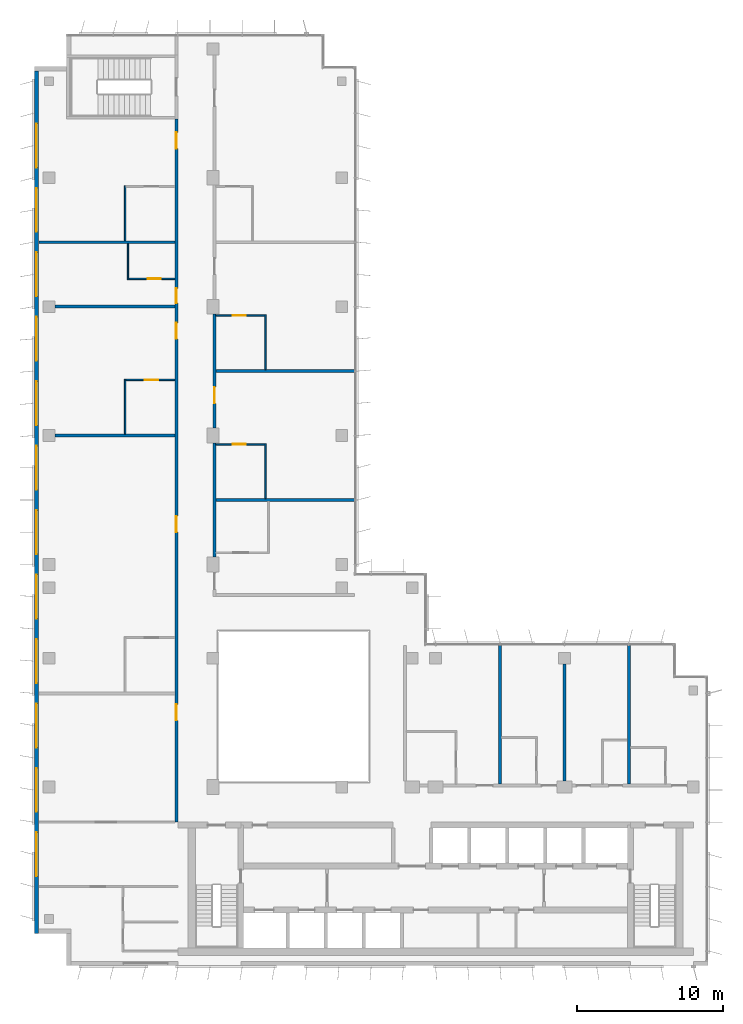
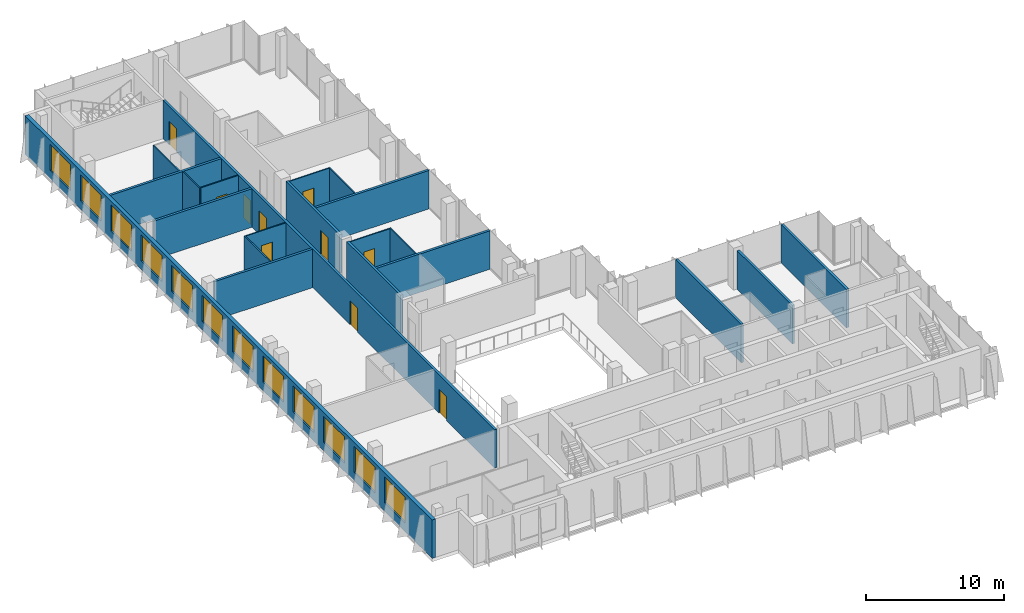
# One storey, part 11 of 15: 21 walls, 12 windows, 10 doors, 22 openings.
"""IFC4 building model written with IfcOpenShell, lengths in metres."""

from ifc_helpers import new_model, si_unit, direction, frame, frame_2d, origin, place, context, subcontext, project, spatial, rectangle, extrude, material, layer, layer_set, type_object, element, fill, save


model = new_model("IFC4")

# Units and contexts
model_context = context("Model", 3, precision=1e-05, world=origin(), true_north=direction((0.0, 1.0)))
body_context = subcontext(model_context, "Body", "Model", "MODEL_VIEW")
ifc_project = project(units=[si_unit("LENGTHUNIT", "METRE"), si_unit("AREAUNIT", "SQUARE_METRE"), si_unit("VOLUMEUNIT", "CUBIC_METRE"), si_unit("PLANEANGLEUNIT", "RADIAN"), si_unit("MASSUNIT", "GRAM", prefix="KILO")], contexts=[model_context])

# Site, building, storey
site_placement = place(None, origin())
site = spatial("IfcSite", under=ifc_project, at=site_placement, CompositionType="ELEMENT")
building_placement = place(site_placement, origin())
building = spatial("IfcBuilding", under=site, at=building_placement, Name="Kemantara Hotel Tower", CompositionType="ELEMENT")
storey_placement = place(building_placement, frame((0.0, 0.0, 294.39990234375)))
storey = spatial("IfcBuildingStorey", under=building, at=storey_placement, Name="L74", CompositionType="ELEMENT", Elevation=294.39990234375)

# Wall, openings, windows
ifc_material_1 = material(Name="Bronze anodised aluminium cladding on insulated steel stud wall", Category="steel")
ifc_layer_1 = layer(ifc_material_1, 0.300048828125)
ifc_layer_set_1 = layer_set([ifc_layer_1], Name="Bronze anodised aluminium cladding on insulated steel stud wall")
wall_type_1 = type_object("IfcWallType", Name="BRONZE METAL-CLAD EXTERNAL WALL 300", PredefinedType="STANDARD", material=ifc_layer_set_1)
wall_1_placement = place(storey_placement, frame((0.14990234375, 61.10009765625, 0.0), z_axis=(0.0, 0.0, 1.0), x_axis=(0.0, -1.0, 0.0)))
wall_1 = element("IfcWall", 1, at=wall_1_placement, inside=storey, type_object=wall_type_1, Name="EXTERNAL WALL L74 T4-R05", PredefinedType="STANDARD", context=body_context, shape_type="SweptSolid", body=[
    extrude(rectangle(XDim=58.900146484375, YDim=0.300048828125, at=frame_2d((29.4501953125, 0.0))), origin(), (0.0, 0.0, 1.0), 3.400146484375),
])
opening_1_placement = place(wall_1_placement, frame((3.60009765625, 0.0, 0.75)))
opening_1 = element("IfcOpeningElement", 2, at=opening_1_placement, cuts=wall_1, Name="Opening W1", PredefinedType="OPENING", context=body_context, shape_type="SweptSolid", body=[
    extrude(rectangle(XDim=3.0, YDim=2.300048828125, at=frame_2d((1.5, 1.14990234375))), frame((0.0, 0.159912109375, 0.0), z_axis=(0.0, -1.0, 0.0), x_axis=(1.0, 0.0, 0.0)), (0.0, 0.0, 1.0), 0.320068359375),
])
opening_2_placement = place(wall_1_placement, frame((8.0, 0.0, 0.75)))
opening_2 = element("IfcOpeningElement", 3, at=opening_2_placement, cuts=wall_1, Name="Opening W1", PredefinedType="OPENING", context=body_context, shape_type="SweptSolid", body=[
    extrude(rectangle(XDim=3.0, YDim=2.300048828125, at=frame_2d((1.5, 1.14990234375))), frame((0.0, 0.159912109375, 0.0), z_axis=(0.0, -1.0, 0.0), x_axis=(1.0, 0.0, 0.0)), (0.0, 0.0, 1.0), 0.320068359375),
])
opening_3_placement = place(wall_1_placement, frame((12.39990234375, 0.0, 0.75)))
opening_3 = element("IfcOpeningElement", 4, at=opening_3_placement, cuts=wall_1, Name="Opening W1", PredefinedType="OPENING", context=body_context, shape_type="SweptSolid", body=[
    extrude(rectangle(XDim=3.0, YDim=2.300048828125, at=frame_2d((1.5, 1.14990234375))), frame((0.0, 0.159912109375, 0.0), z_axis=(0.0, -1.0, 0.0), x_axis=(1.0, 0.0, 0.0)), (0.0, 0.0, 1.0), 0.320068359375),
])
opening_4_placement = place(wall_1_placement, frame((16.800048828125, 0.0, 0.75)))
opening_4 = element("IfcOpeningElement", 5, at=opening_4_placement, cuts=wall_1, Name="Opening W1", PredefinedType="OPENING", context=body_context, shape_type="SweptSolid", body=[
    extrude(rectangle(XDim=3.0, YDim=2.300048828125, at=frame_2d((1.5, 1.14990234375))), frame((0.0, 0.159912109375, 0.0), z_axis=(0.0, -1.0, 0.0), x_axis=(1.0, 0.0, 0.0)), (0.0, 0.0, 1.0), 0.320068359375),
])
opening_5_placement = place(wall_1_placement, frame((21.199951171875, 0.0, 0.75)))
opening_5 = element("IfcOpeningElement", 6, at=opening_5_placement, cuts=wall_1, Name="Opening W1", PredefinedType="OPENING", context=body_context, shape_type="SweptSolid", body=[
    extrude(rectangle(XDim=3.0, YDim=2.300048828125, at=frame_2d((1.5, 1.14990234375))), frame((0.0, 0.159912109375, 0.0), z_axis=(0.0, -1.0, 0.0), x_axis=(1.0, 0.0, 0.0)), (0.0, 0.0, 1.0), 0.320068359375),
])
opening_6_placement = place(wall_1_placement, frame((25.60009765625, 0.0, 0.75)))
opening_6 = element("IfcOpeningElement", 7, at=opening_6_placement, cuts=wall_1, Name="Opening W1", PredefinedType="OPENING", context=body_context, shape_type="SweptSolid", body=[
    extrude(rectangle(XDim=3.0, YDim=2.300048828125, at=frame_2d((1.5, 1.14990234375))), frame((0.0, 0.159912109375, 0.0), z_axis=(0.0, -1.0, 0.0), x_axis=(1.0, 0.0, 0.0)), (0.0, 0.0, 1.0), 0.320068359375),
])
opening_7_placement = place(wall_1_placement, frame((30.0, 0.0, 0.75)))
opening_7 = element("IfcOpeningElement", 8, at=opening_7_placement, cuts=wall_1, Name="Opening W1", PredefinedType="OPENING", context=body_context, shape_type="SweptSolid", body=[
    extrude(rectangle(XDim=3.0, YDim=2.300048828125, at=frame_2d((1.5, 1.14990234375))), frame((0.0, 0.159912109375, 0.0), z_axis=(0.0, -1.0, 0.0), x_axis=(1.0, 0.0, 0.0)), (0.0, 0.0, 1.0), 0.320068359375),
])
opening_8_placement = place(wall_1_placement, frame((34.39990234375, 0.0, 0.75)))
opening_8 = element("IfcOpeningElement", 9, at=opening_8_placement, cuts=wall_1, Name="Opening W1", PredefinedType="OPENING", context=body_context, shape_type="SweptSolid", body=[
    extrude(rectangle(XDim=3.0, YDim=2.300048828125, at=frame_2d((1.5, 1.14990234375))), frame((0.0, 0.159912109375, 0.0), z_axis=(0.0, -1.0, 0.0), x_axis=(1.0, 0.0, 0.0)), (0.0, 0.0, 1.0), 0.320068359375),
])
opening_9_placement = place(wall_1_placement, frame((38.800048828125, 0.0, 0.75)))
opening_9 = element("IfcOpeningElement", 10, at=opening_9_placement, cuts=wall_1, Name="Opening W1", PredefinedType="OPENING", context=body_context, shape_type="SweptSolid", body=[
    extrude(rectangle(XDim=3.0, YDim=2.300048828125, at=frame_2d((1.5, 1.14990234375))), frame((0.0, 0.159912109375, 0.0), z_axis=(0.0, -1.0, 0.0), x_axis=(1.0, 0.0, 0.0)), (0.0, 0.0, 1.0), 0.320068359375),
])
opening_10_placement = place(wall_1_placement, frame((43.199951171875, 0.0, 0.75)))
opening_10 = element("IfcOpeningElement", 11, at=opening_10_placement, cuts=wall_1, Name="Opening W1", PredefinedType="OPENING", context=body_context, shape_type="SweptSolid", body=[
    extrude(rectangle(XDim=3.0, YDim=2.300048828125, at=frame_2d((1.5, 1.14990234375))), frame((0.0, 0.159912109375, 0.0), z_axis=(0.0, -1.0, 0.0), x_axis=(1.0, 0.0, 0.0)), (0.0, 0.0, 1.0), 0.320068359375),
])
opening_11_placement = place(wall_1_placement, frame((47.60009765625, 0.0, 0.75)))
opening_11 = element("IfcOpeningElement", 12, at=opening_11_placement, cuts=wall_1, Name="Opening W1", PredefinedType="OPENING", context=body_context, shape_type="SweptSolid", body=[
    extrude(rectangle(XDim=3.0, YDim=2.300048828125, at=frame_2d((1.5, 1.14990234375))), frame((0.0, 0.159912109375, 0.0), z_axis=(0.0, -1.0, 0.0), x_axis=(1.0, 0.0, 0.0)), (0.0, 0.0, 1.0), 0.320068359375),
])
opening_12_placement = place(wall_1_placement, frame((52.0, 0.0, 0.75)))
opening_12 = element("IfcOpeningElement", 13, at=opening_12_placement, cuts=wall_1, Name="Opening W1", PredefinedType="OPENING", context=body_context, shape_type="SweptSolid", body=[
    extrude(rectangle(XDim=3.0, YDim=2.300048828125, at=frame_2d((1.5, 1.14990234375))), frame((0.0, 0.159912109375, 0.0), z_axis=(0.0, -1.0, 0.0), x_axis=(1.0, 0.0, 0.0)), (0.0, 0.0, 1.0), 0.320068359375),
])
ifc_material_2 = material(Name="Low-E tinted double insulated glass in bronze anodised aluminium frame", Category="aluminium")
window_type = type_object("IfcWindowType", Name="CHICAGO WINDOW, TRIPLE PANEL 3000x2300", PartitioningType="TRIPLE_PANEL_VERTICAL", PredefinedType="WINDOW", material=ifc_material_2)
window_1_placement = place(opening_1_placement, origin())
window_1 = element("IfcWindow", 14, at=window_1_placement, inside=storey, type_object=window_type, Name="CHICAGO WINDOW L74 T4-R05-54", OverallHeight=2.300048828125, OverallWidth=3.0, PartitioningType="SINGLE_PANEL", PredefinedType="WINDOW", context=body_context, shape_type="SweptSolid", body=[
    extrude(rectangle(XDim=3.0, YDim=2.300048828125, at=frame_2d((1.5, 1.14990234375))), frame((0.0, 0.030029296875, 0.0), z_axis=(0.0, -1.0, 0.0), x_axis=(1.0, 0.0, 0.0)), (0.0, 0.0, 1.0), 0.06005859375),
])
fill(opening_1, window_1)
window_2_placement = place(opening_2_placement, origin())
window_2 = element("IfcWindow", 15, at=window_2_placement, inside=storey, type_object=window_type, Name="CHICAGO WINDOW L74 T4-R05-98", OverallHeight=2.300048828125, OverallWidth=3.0, PartitioningType="SINGLE_PANEL", PredefinedType="WINDOW", context=body_context, shape_type="SweptSolid", body=[
    extrude(rectangle(XDim=3.0, YDim=2.300048828125, at=frame_2d((1.5, 1.14990234375))), frame((0.0, 0.030029296875, 0.0), z_axis=(0.0, -1.0, 0.0), x_axis=(1.0, 0.0, 0.0)), (0.0, 0.0, 1.0), 0.06005859375),
])
fill(opening_2, window_2)
window_3_placement = place(opening_3_placement, origin())
window_3 = element("IfcWindow", 16, at=window_3_placement, inside=storey, type_object=window_type, Name="CHICAGO WINDOW L74 T4-R05-142", OverallHeight=2.300048828125, OverallWidth=3.0, PartitioningType="SINGLE_PANEL", PredefinedType="WINDOW", context=body_context, shape_type="SweptSolid", body=[
    extrude(rectangle(XDim=3.0, YDim=2.300048828125, at=frame_2d((1.5, 1.14990234375))), frame((0.0, 0.030029296875, 0.0), z_axis=(0.0, -1.0, 0.0), x_axis=(1.0, 0.0, 0.0)), (0.0, 0.0, 1.0), 0.06005859375),
])
fill(opening_3, window_3)
window_4_placement = place(opening_4_placement, origin())
window_4 = element("IfcWindow", 17, at=window_4_placement, inside=storey, type_object=window_type, Name="CHICAGO WINDOW L74 T4-R05-186", OverallHeight=2.300048828125, OverallWidth=3.0, PartitioningType="SINGLE_PANEL", PredefinedType="WINDOW", context=body_context, shape_type="SweptSolid", body=[
    extrude(rectangle(XDim=3.0, YDim=2.300048828125, at=frame_2d((1.5, 1.14990234375))), frame((0.0, 0.030029296875, 0.0), z_axis=(0.0, -1.0, 0.0), x_axis=(1.0, 0.0, 0.0)), (0.0, 0.0, 1.0), 0.06005859375),
])
fill(opening_4, window_4)
window_5_placement = place(opening_5_placement, origin())
window_5 = element("IfcWindow", 18, at=window_5_placement, inside=storey, type_object=window_type, Name="CHICAGO WINDOW L74 T4-R05-230", OverallHeight=2.300048828125, OverallWidth=3.0, PartitioningType="SINGLE_PANEL", PredefinedType="WINDOW", context=body_context, shape_type="SweptSolid", body=[
    extrude(rectangle(XDim=3.0, YDim=2.300048828125, at=frame_2d((1.5, 1.14990234375))), frame((0.0, 0.030029296875, 0.0), z_axis=(0.0, -1.0, 0.0), x_axis=(1.0, 0.0, 0.0)), (0.0, 0.0, 1.0), 0.06005859375),
])
fill(opening_5, window_5)
window_6_placement = place(opening_6_placement, origin())
window_6 = element("IfcWindow", 19, at=window_6_placement, inside=storey, type_object=window_type, Name="CHICAGO WINDOW L74 T4-R05-274", OverallHeight=2.300048828125, OverallWidth=3.0, PartitioningType="SINGLE_PANEL", PredefinedType="WINDOW", context=body_context, shape_type="SweptSolid", body=[
    extrude(rectangle(XDim=3.0, YDim=2.300048828125, at=frame_2d((1.5, 1.14990234375))), frame((0.0, 0.030029296875, 0.0), z_axis=(0.0, -1.0, 0.0), x_axis=(1.0, 0.0, 0.0)), (0.0, 0.0, 1.0), 0.06005859375),
])
fill(opening_6, window_6)
window_7_placement = place(opening_7_placement, origin())
window_7 = element("IfcWindow", 20, at=window_7_placement, inside=storey, type_object=window_type, Name="CHICAGO WINDOW L74 T4-R05-318", OverallHeight=2.300048828125, OverallWidth=3.0, PartitioningType="SINGLE_PANEL", PredefinedType="WINDOW", context=body_context, shape_type="SweptSolid", body=[
    extrude(rectangle(XDim=3.0, YDim=2.300048828125, at=frame_2d((1.5, 1.14990234375))), frame((0.0, 0.030029296875, 0.0), z_axis=(0.0, -1.0, 0.0), x_axis=(1.0, 0.0, 0.0)), (0.0, 0.0, 1.0), 0.06005859375),
])
fill(opening_7, window_7)
window_8_placement = place(opening_8_placement, origin())
window_8 = element("IfcWindow", 21, at=window_8_placement, inside=storey, type_object=window_type, Name="CHICAGO WINDOW L74 T4-R05-362", OverallHeight=2.300048828125, OverallWidth=3.0, PartitioningType="SINGLE_PANEL", PredefinedType="WINDOW", context=body_context, shape_type="SweptSolid", body=[
    extrude(rectangle(XDim=3.0, YDim=2.300048828125, at=frame_2d((1.5, 1.14990234375))), frame((0.0, 0.030029296875, 0.0), z_axis=(0.0, -1.0, 0.0), x_axis=(1.0, 0.0, 0.0)), (0.0, 0.0, 1.0), 0.06005859375),
])
fill(opening_8, window_8)
window_9_placement = place(opening_9_placement, origin())
window_9 = element("IfcWindow", 22, at=window_9_placement, inside=storey, type_object=window_type, Name="CHICAGO WINDOW L74 T4-R05-406", OverallHeight=2.300048828125, OverallWidth=3.0, PartitioningType="SINGLE_PANEL", PredefinedType="WINDOW", context=body_context, shape_type="SweptSolid", body=[
    extrude(rectangle(XDim=3.0, YDim=2.300048828125, at=frame_2d((1.5, 1.14990234375))), frame((0.0, 0.030029296875, 0.0), z_axis=(0.0, -1.0, 0.0), x_axis=(1.0, 0.0, 0.0)), (0.0, 0.0, 1.0), 0.06005859375),
])
fill(opening_9, window_9)
window_10_placement = place(opening_10_placement, origin())
window_10 = element("IfcWindow", 23, at=window_10_placement, inside=storey, type_object=window_type, Name="CHICAGO WINDOW L74 T4-R05-450", OverallHeight=2.300048828125, OverallWidth=3.0, PartitioningType="SINGLE_PANEL", PredefinedType="WINDOW", context=body_context, shape_type="SweptSolid", body=[
    extrude(rectangle(XDim=3.0, YDim=2.300048828125, at=frame_2d((1.5, 1.14990234375))), frame((0.0, 0.030029296875, 0.0), z_axis=(0.0, -1.0, 0.0), x_axis=(1.0, 0.0, 0.0)), (0.0, 0.0, 1.0), 0.06005859375),
])
fill(opening_10, window_10)
window_11_placement = place(opening_11_placement, origin())
window_11 = element("IfcWindow", 24, at=window_11_placement, inside=storey, type_object=window_type, Name="CHICAGO WINDOW L74 T4-R05-494", OverallHeight=2.300048828125, OverallWidth=3.0, PartitioningType="SINGLE_PANEL", PredefinedType="WINDOW", context=body_context, shape_type="SweptSolid", body=[
    extrude(rectangle(XDim=3.0, YDim=2.300048828125, at=frame_2d((1.5, 1.14990234375))), frame((0.0, 0.030029296875, 0.0), z_axis=(0.0, -1.0, 0.0), x_axis=(1.0, 0.0, 0.0)), (0.0, 0.0, 1.0), 0.06005859375),
])
fill(opening_11, window_11)
window_12_placement = place(opening_12_placement, origin())
window_12 = element("IfcWindow", 25, at=window_12_placement, inside=storey, type_object=window_type, Name="CHICAGO WINDOW L74 T4-R05-538", OverallHeight=2.300048828125, OverallWidth=3.0, PartitioningType="SINGLE_PANEL", PredefinedType="WINDOW", context=body_context, shape_type="SweptSolid", body=[
    extrude(rectangle(XDim=3.0, YDim=2.300048828125, at=frame_2d((1.5, 1.14990234375))), frame((0.0, 0.030029296875, 0.0), z_axis=(0.0, -1.0, 0.0), x_axis=(1.0, 0.0, 0.0)), (0.0, 0.0, 1.0), 0.06005859375),
])
fill(opening_12, window_12)

# Wall, openings, doors
ifc_material_3 = material(Name="Gypsum board partition, steel studs and mineral wool, 200 mm", Category="steel")
ifc_layer_2 = layer(ifc_material_3, 0.199951171875)
ifc_layer_set_2 = layer_set([ifc_layer_2], Name="Gypsum board partition, steel studs and mineral wool, 200 mm")
wall_type_2 = type_object("IfcWallType", Name="CORRIDOR WALL 200", PredefinedType="PARTITIONING", material=ifc_layer_set_2)
wall_2_placement = place(storey_placement, frame((9.699951171875, 9.800048828125, 0.0), z_axis=(0.0, 0.0, 1.0), x_axis=(0.0, 1.0, 0.0)))
wall_2 = element("IfcWall", 26, at=wall_2_placement, inside=storey, type_object=wall_type_2, Name="CORRIDOR WALL 200 008", PredefinedType="PARTITIONING", context=body_context, shape_type="SweptSolid", body=[
    extrude(rectangle(XDim=48.0, YDim=0.199951171875, at=frame_2d((24.0, 0.0))), origin(), (0.0, 0.0, 1.0), 3.400146484375),
])
opening_13_placement = place(wall_2_placement, frame((6.949951171875, 0.0, 0.0)))
opening_13 = element("IfcOpeningElement", 27, at=opening_13_placement, cuts=wall_2, Name="Opening F36-009", PredefinedType="OPENING", context=body_context, shape_type="SweptSolid", body=[
    extrude(rectangle(XDim=1.10009765625, YDim=2.10009765625, at=frame_2d((0.550048828125, 1.050048828125))), frame((0.0, 0.10986328125, 0.0), z_axis=(0.0, -1.0, 0.0), x_axis=(1.0, 0.0, 0.0)), (0.0, 0.0, 1.0), 0.219970703125),
])
opening_14_placement = place(wall_2_placement, frame((19.800048828125, 0.0, 0.0)))
opening_14 = element("IfcOpeningElement", 28, at=opening_14_placement, cuts=wall_2, Name="Opening F36-014", PredefinedType="OPENING", context=body_context, shape_type="SweptSolid", body=[
    extrude(rectangle(XDim=1.10009765625, YDim=2.10009765625, at=frame_2d((0.550048828125, 1.050048828125))), frame((0.0, 0.10986328125, 0.0), z_axis=(0.0, -1.0, 0.0), x_axis=(1.0, 0.0, 0.0)), (0.0, 0.0, 1.0), 0.219970703125),
])
opening_15_placement = place(wall_2_placement, frame((33.0, 0.0, 0.0)))
opening_15 = element("IfcOpeningElement", 29, at=opening_15_placement, cuts=wall_2, Name="Opening F36-016", PredefinedType="OPENING", context=body_context, shape_type="SweptSolid", body=[
    extrude(rectangle(XDim=1.10009765625, YDim=2.10009765625, at=frame_2d((0.550048828125, 1.050048828125))), frame((0.0, 0.10986328125, 0.0), z_axis=(0.0, -1.0, 0.0), x_axis=(1.0, 0.0, 0.0)), (0.0, 0.0, 1.0), 0.219970703125),
])
opening_16_placement = place(wall_2_placement, frame((35.449951171875, 0.0, 0.0)))
opening_16 = element("IfcOpeningElement", 30, at=opening_16_placement, cuts=wall_2, Name="Opening F36-018", PredefinedType="OPENING", context=body_context, shape_type="SweptSolid", body=[
    extrude(rectangle(XDim=1.0, YDim=2.10009765625, at=frame_2d((0.5, 1.050048828125))), frame((0.0, 0.10986328125, 0.0), z_axis=(0.0, -1.0, 0.0), x_axis=(1.0, 0.0, 0.0)), (0.0, 0.0, 1.0), 0.219970703125),
])
opening_17_placement = place(wall_2_placement, frame((46.0, 0.0, 0.0)))
opening_17 = element("IfcOpeningElement", 31, at=opening_17_placement, cuts=wall_2, Name="Opening F36-020", PredefinedType="OPENING", context=body_context, shape_type="SweptSolid", body=[
    extrude(rectangle(XDim=1.10009765625, YDim=2.10009765625, at=frame_2d((0.550048828125, 1.050048828125))), frame((0.0, 0.10986328125, 0.0), z_axis=(0.0, -1.0, 0.0), x_axis=(1.0, 0.0, 0.0)), (0.0, 0.0, 1.0), 0.219970703125),
])
ifc_material_4 = material(Name="Hardwood veneer door leaf with steel frame", Category="steel")
door_type_1 = type_object("IfcDoorType", Name="GUEST ROOM DOOR 1000 X 2100 FD30S", OperationType="NOTDEFINED", PredefinedType="DOOR", material=ifc_material_4)
door_1_placement = place(opening_16_placement, origin())
door_1 = element("IfcDoor", 32, at=door_1_placement, inside=storey, type_object=door_type_1, Name="GUEST ROOM DOOR F36-018", OperationType="SINGLE_SWING_LEFT", OverallHeight=2.10009765625, OverallWidth=1.0, PredefinedType="DOOR", context=body_context, shape_type="SweptSolid", body=[
    extrude(rectangle(XDim=1.0, YDim=2.10009765625, at=frame_2d((0.5, 1.050048828125))), frame((0.0, 0.02490234375, 0.0), z_axis=(0.0, -1.0, 0.0), x_axis=(1.0, 0.0, 0.0)), (0.0, 0.0, 1.0), 0.050048828125),
])
fill(opening_16, door_1)
door_type_2 = type_object("IfcDoorType", Name="SUITE ENTRANCE DOOR 1100 X 2100 FD30S", OperationType="NOTDEFINED", PredefinedType="DOOR", material=ifc_material_4)
door_2_placement = place(opening_13_placement, origin())
door_2 = element("IfcDoor", 33, at=door_2_placement, inside=storey, type_object=door_type_2, Name="SUITE ENTRANCE DOOR F36-009", OperationType="SINGLE_SWING_RIGHT", OverallHeight=2.10009765625, OverallWidth=1.10009765625, PredefinedType="DOOR", context=body_context, shape_type="SweptSolid", body=[
    extrude(rectangle(XDim=1.10009765625, YDim=2.10009765625, at=frame_2d((0.550048828125, 1.050048828125))), frame((0.0, 0.02490234375, 0.0), z_axis=(0.0, -1.0, 0.0), x_axis=(1.0, 0.0, 0.0)), (0.0, 0.0, 1.0), 0.050048828125),
])
fill(opening_13, door_2)
door_3_placement = place(opening_14_placement, origin())
door_3 = element("IfcDoor", 34, at=door_3_placement, inside=storey, type_object=door_type_2, Name="SUITE ENTRANCE DOOR F36-014", OperationType="SINGLE_SWING_RIGHT", OverallHeight=2.10009765625, OverallWidth=1.10009765625, PredefinedType="DOOR", context=body_context, shape_type="SweptSolid", body=[
    extrude(rectangle(XDim=1.10009765625, YDim=2.10009765625, at=frame_2d((0.550048828125, 1.050048828125))), frame((0.0, 0.02490234375, 0.0), z_axis=(0.0, -1.0, 0.0), x_axis=(1.0, 0.0, 0.0)), (0.0, 0.0, 1.0), 0.050048828125),
])
fill(opening_14, door_3)
door_4_placement = place(opening_15_placement, origin())
door_4 = element("IfcDoor", 35, at=door_4_placement, inside=storey, type_object=door_type_2, Name="SUITE ENTRANCE DOOR F36-016", OperationType="SINGLE_SWING_RIGHT", OverallHeight=2.10009765625, OverallWidth=1.10009765625, PredefinedType="DOOR", context=body_context, shape_type="SweptSolid", body=[
    extrude(rectangle(XDim=1.10009765625, YDim=2.10009765625, at=frame_2d((0.550048828125, 1.050048828125))), frame((0.0, 0.02490234375, 0.0), z_axis=(0.0, -1.0, 0.0), x_axis=(1.0, 0.0, 0.0)), (0.0, 0.0, 1.0), 0.050048828125),
])
fill(opening_15, door_4)
door_5_placement = place(opening_17_placement, origin())
door_5 = element("IfcDoor", 36, at=door_5_placement, inside=storey, type_object=door_type_2, Name="SUITE ENTRANCE DOOR F36-020", OperationType="SINGLE_SWING_RIGHT", OverallHeight=2.10009765625, OverallWidth=1.10009765625, PredefinedType="DOOR", context=body_context, shape_type="SweptSolid", body=[
    extrude(rectangle(XDim=1.10009765625, YDim=2.10009765625, at=frame_2d((0.550048828125, 1.050048828125))), frame((0.0, 0.02490234375, 0.0), z_axis=(0.0, -1.0, 0.0), x_axis=(1.0, 0.0, 0.0)), (0.0, 0.0, 1.0), 0.050048828125),
])
fill(opening_17, door_5)

# Wall
wall_3_placement = place(storey_placement, frame((12.300048828125, 27.900146484375, 0.0), z_axis=(0.0, 0.0, 1.0), x_axis=(0.0, 1.0, 0.0)))
element("IfcWall", 37, at=wall_3_placement, inside=storey, type_object=wall_type_2, Name="CORRIDOR WALL 200 016", PredefinedType="PARTITIONING", context=body_context, shape_type="SweptSolid", body=[
    extrude(rectangle(XDim=7.7998046875, YDim=0.199951171875, at=frame_2d((3.89990234375, 0.0))), origin(), (0.0, 0.0, 1.0), 3.400146484375),
])

# Wall, opening, door
wall_4_placement = place(storey_placement, frame((12.300048828125, 44.5, 0.0), z_axis=(0.0, 0.0, 1.0), x_axis=(0.0, -1.0, 0.0)))
wall_4 = element("IfcWall", 38, at=wall_4_placement, inside=storey, type_object=wall_type_2, Name="CORRIDOR WALL 200 017", PredefinedType="PARTITIONING", context=body_context, shape_type="SweptSolid", body=[
    extrude(rectangle(XDim=7.7998046875, YDim=0.199951171875, at=frame_2d((3.89990234375, 0.0))), origin(), (0.0, 0.0, 1.0), 3.400146484375),
])
opening_18_placement = place(wall_4_placement, frame((5.0, 0.0, 0.0)))
opening_18 = element("IfcOpeningElement", 39, at=opening_18_placement, cuts=wall_4, Name="Opening F36-024", PredefinedType="OPENING", context=body_context, shape_type="SweptSolid", body=[
    extrude(rectangle(XDim=1.10009765625, YDim=2.10009765625, at=frame_2d((0.550048828125, 1.050048828125))), frame((0.0, 0.10986328125, 0.0), z_axis=(0.0, -1.0, 0.0), x_axis=(1.0, 0.0, 0.0)), (0.0, 0.0, 1.0), 0.219970703125),
])
door_6_placement = place(opening_18_placement, origin())
door_6 = element("IfcDoor", 40, at=door_6_placement, inside=storey, type_object=door_type_2, Name="SUITE ENTRANCE DOOR F36-024", OperationType="SINGLE_SWING_LEFT", OverallHeight=2.10009765625, OverallWidth=1.10009765625, PredefinedType="DOOR", context=body_context, shape_type="SweptSolid", body=[
    extrude(rectangle(XDim=1.10009765625, YDim=2.10009765625, at=frame_2d((0.550048828125, 1.050048828125))), frame((0.0, 0.02490234375, 0.0), z_axis=(0.0, -1.0, 0.0), x_axis=(1.0, 0.0, 0.0)), (0.0, 0.0, 1.0), 0.050048828125),
])
fill(opening_18, door_6)

# Walls
ifc_layer_3 = layer(ifc_material_3, 0.199951171875)
ifc_layer_set_3 = layer_set([ifc_layer_3], Name="Gypsum board partition, steel studs and mineral wool, 200 mm")
wall_type_3 = type_object("IfcWallType", Name="GUEST ROOM PARTY WALL 200", PredefinedType="PARTITIONING", material=ifc_layer_set_3)
wall_5_placement = place(storey_placement, frame((31.800048828125, 12.39990234375, 0.0), z_axis=(0.0, 0.0, 1.0), x_axis=(0.0, 1.0, 0.0)))
element("IfcWall", 41, at=wall_5_placement, inside=storey, type_object=wall_type_3, Name="GUEST ROOM PARTY WALL 200 005", PredefinedType="PARTITIONING", context=body_context, shape_type="SweptSolid", body=[
    extrude(rectangle(XDim=9.47021484375, YDim=0.199951171875, at=frame_2d((4.735107421875, 0.0))), origin(), (0.0, 0.0, 1.0), 3.400146484375),
])
wall_6_placement = place(storey_placement, frame((36.199951171875, 12.60009765625, 0.0), z_axis=(0.0, 0.0, 1.0), x_axis=(0.0, 1.0, 0.0)))
element("IfcWall", 42, at=wall_6_placement, inside=storey, type_object=wall_type_3, Name="GUEST ROOM PARTY WALL 200 006", PredefinedType="PARTITIONING", context=body_context, shape_type="SweptSolid", body=[
    extrude(rectangle(XDim=7.999755859375, YDim=0.199951171875, at=frame_2d((4.0, 0.0))), origin(), (0.0, 0.0, 1.0), 3.400146484375),
])
wall_7_placement = place(storey_placement, frame((40.60009765625, 12.39990234375, 0.0), z_axis=(0.0, 0.0, 1.0), x_axis=(0.0, 1.0, 0.0)))
element("IfcWall", 43, at=wall_7_placement, inside=storey, type_object=wall_type_3, Name="GUEST ROOM PARTY WALL 200 007", PredefinedType="PARTITIONING", context=body_context, shape_type="SweptSolid", body=[
    extrude(rectangle(XDim=9.47021484375, YDim=0.199951171875, at=frame_2d((4.735107421875, 0.0))), origin(), (0.0, 0.0, 1.0), 3.400146484375),
])
for number, where, z_axis, x_axis, name in (
    (44, (1.400146484375, 36.199951171875, 0.0), (0.0, 0.0, 1.0), (1.0, 0.0, 0.0), "GUEST ROOM PARTY WALL 200 011"),
    (45, (1.400146484375, 45.0, 0.0), (0.0, 0.0, 1.0), (1.0, 0.0, 0.0), "GUEST ROOM PARTY WALL 200 012"),
):
    element("IfcWall", number, at=place(storey_placement, frame(where, z_axis=z_axis, x_axis=x_axis)), inside=storey, type_object=wall_type_3, Name=name, PredefinedType="PARTITIONING", context=body_context, shape_type="SweptSolid", body=[
        extrude(rectangle(XDim=8.199951171875, YDim=0.199951171875, at=frame_2d((4.10009765625, 0.0))), origin(), (0.0, 0.0, 1.0), 3.400146484375),
    ])
wall_8_placement = place(storey_placement, frame((0.31005859375, 49.39990234375, 0.0), z_axis=(0.0, 0.0, 1.0), x_axis=(1.0, 0.0, 0.0)))
element("IfcWall", 46, at=wall_8_placement, inside=storey, type_object=wall_type_3, Name="GUEST ROOM PARTY WALL 200 013", PredefinedType="PARTITIONING", context=body_context, shape_type="SweptSolid", body=[
    extrude(rectangle(XDim=9.2900390625, YDim=0.199951171875, at=frame_2d((4.64501953125, 0.0))), origin(), (0.0, 0.0, 1.0), 3.400146484375),
])
for number, where, z_axis, x_axis, name in (
    (47, (12.39990234375, 31.800048828125, 0.0), (0.0, 0.0, 1.0), (1.0, 0.0, 0.0), "GUEST ROOM PARTY WALL 200 021"),
    (48, (12.39990234375, 40.60009765625, 0.0), (0.0, 0.0, 1.0), (1.0, 0.0, 0.0), "GUEST ROOM PARTY WALL 200 022"),
):
    element("IfcWall", number, at=place(storey_placement, frame(where, z_axis=z_axis, x_axis=x_axis)), inside=storey, type_object=wall_type_3, Name=name, PredefinedType="PARTITIONING", context=body_context, shape_type="SweptSolid", body=[
        extrude(rectangle(XDim=9.47021484375, YDim=0.199951171875, at=frame_2d((4.735107421875, 0.0))), origin(), (0.0, 0.0, 1.0), 3.400146484375),
    ])
ifc_material_5 = material(Name="Gypsum board partition on steel studs, 100 mm", Category="steel")
ifc_layer_4 = layer(ifc_material_5, 0.10009765625)
ifc_layer_set_4 = layer_set([ifc_layer_4], Name="Gypsum board partition on steel studs, 100 mm")
wall_type_4 = type_object("IfcWallType", Name="ROOM PARTITION 100", PredefinedType="PARTITIONING", material=ifc_layer_set_4)
for number, where, z_axis, x_axis, name in (
    (49, (6.199951171875, 36.300048828125, 0.0), (0.0, 0.0, 1.0), (0.0, 1.0, 0.0), "ROOM PARTITION 100 037"),
    (50, (6.199951171875, 49.5, 0.0), (0.0, 0.0, 1.0), (0.0, 1.0, 0.0), "ROOM PARTITION 100 038"),
):
    element("IfcWall", number, at=place(storey_placement, frame(where, z_axis=z_axis, x_axis=x_axis)), inside=storey, type_object=wall_type_4, Name=name, PredefinedType="PARTITIONING", context=body_context, shape_type="SweptSolid", body=[
        extrude(rectangle(XDim=3.75, YDim=0.10009765625, at=frame_2d((1.875, 0.0))), origin(), (0.0, 0.0, 1.0), 3.400146484375),
    ])

# Wall, opening, door
wall_9_placement = place(storey_placement, frame((9.60009765625, 40.0, 0.0), z_axis=(0.0, 0.0, 1.0), x_axis=(-1.0, 0.0, 0.0)))
wall_9 = element("IfcWall", 51, at=wall_9_placement, inside=storey, type_object=wall_type_4, Name="ROOM PARTITION 100 040", PredefinedType="PARTITIONING", context=body_context, shape_type="SweptSolid", body=[
    extrude(rectangle(XDim=3.35009765625, YDim=0.10009765625, at=frame_2d((1.675048828125, 0.0))), origin(), (0.0, 0.0, 1.0), 3.400146484375),
])
opening_19_placement = place(wall_9_placement, frame((1.14990234375, 0.0, 0.0)))
opening_19 = element("IfcOpeningElement", 52, at=opening_19_placement, cuts=wall_9, Name="Opening F36-017", PredefinedType="OPENING", context=body_context, shape_type="SweptSolid", body=[
    extrude(rectangle(XDim=0.89990234375, YDim=2.10009765625, at=frame_2d((0.449951171875, 1.050048828125))), frame((0.0, 0.06005859375, 0.0), z_axis=(0.0, -1.0, 0.0), x_axis=(1.0, 0.0, 0.0)), (0.0, 0.0, 1.0), 0.1201171875),
])
door_type_3 = type_object("IfcDoorType", Name="BATHROOM DOOR 900 X 2100", OperationType="NOTDEFINED", PredefinedType="DOOR", material=ifc_material_4)
door_7_placement = place(opening_19_placement, origin())
door_7 = element("IfcDoor", 53, at=door_7_placement, inside=storey, type_object=door_type_3, Name="BATHROOM DOOR F36-017", OperationType="SINGLE_SWING_LEFT", OverallHeight=2.10009765625, OverallWidth=0.89990234375, PredefinedType="DOOR", context=body_context, shape_type="SweptSolid", body=[
    extrude(rectangle(XDim=0.89990234375, YDim=2.10009765625, at=frame_2d((0.449951171875, 1.050048828125))), frame((0.0, 0.02490234375, 0.0), z_axis=(0.0, -1.0, 0.0), x_axis=(1.0, 0.0, 0.0)), (0.0, 0.0, 1.0), 0.050048828125),
])
fill(opening_19, door_7)

# Wall
wall_10_placement = place(storey_placement, frame((6.39990234375, 46.85009765625, 0.0), z_axis=(0.0, 0.0, 1.0), x_axis=(0.0, 1.0, 0.0)))
element("IfcWall", 54, at=wall_10_placement, inside=storey, type_object=wall_type_4, Name="ROOM PARTITION 100 041", PredefinedType="PARTITIONING", context=body_context, shape_type="SweptSolid", body=[
    extrude(rectangle(XDim=2.449951171875, YDim=0.10009765625, at=frame_2d((1.22509765625, 0.0))), origin(), (0.0, 0.0, 1.0), 3.400146484375),
])

# Wall, opening, door
wall_11_placement = place(storey_placement, frame((6.449951171875, 46.89990234375, 0.0), z_axis=(0.0, 0.0, 1.0), x_axis=(1.0, 0.0, 0.0)))
wall_11 = element("IfcWall", 55, at=wall_11_placement, inside=storey, type_object=wall_type_4, Name="ROOM PARTITION 100 042", PredefinedType="PARTITIONING", context=body_context, shape_type="SweptSolid", body=[
    extrude(rectangle(XDim=3.150146484375, YDim=0.10009765625, at=frame_2d((1.5751953125, 0.0))), origin(), (0.0, 0.0, 1.0), 3.400146484375),
])
opening_20_placement = place(wall_11_placement, frame((1.300048828125, 0.0, 0.0)))
opening_20 = element("IfcOpeningElement", 56, at=opening_20_placement, cuts=wall_11, Name="Opening F36-019", PredefinedType="OPENING", context=body_context, shape_type="SweptSolid", body=[
    extrude(rectangle(XDim=0.89990234375, YDim=2.10009765625, at=frame_2d((0.449951171875, 1.050048828125))), frame((0.0, 0.06005859375, 0.0), z_axis=(0.0, -1.0, 0.0), x_axis=(1.0, 0.0, 0.0)), (0.0, 0.0, 1.0), 0.1201171875),
])
door_8_placement = place(opening_20_placement, origin())
door_8 = element("IfcDoor", 57, at=door_8_placement, inside=storey, type_object=door_type_3, Name="BATHROOM DOOR F36-019", OperationType="SINGLE_SWING_RIGHT", OverallHeight=2.10009765625, OverallWidth=0.89990234375, PredefinedType="DOOR", context=body_context, shape_type="SweptSolid", body=[
    extrude(rectangle(XDim=0.89990234375, YDim=2.10009765625, at=frame_2d((0.449951171875, 1.050048828125))), frame((0.0, 0.02490234375, 0.0), z_axis=(0.0, -1.0, 0.0), x_axis=(1.0, 0.0, 0.0)), (0.0, 0.0, 1.0), 0.050048828125),
])
fill(opening_20, door_8)

# Walls
for number, where, z_axis, x_axis, name in (
    (58, (15.800048828125, 31.89990234375, 0.0), (0.0, 0.0, 1.0), (0.0, 1.0, 0.0), "ROOM PARTITION 100 047"),
    (59, (15.800048828125, 40.699951171875, 0.0), (0.0, 0.0, 1.0), (0.0, 1.0, 0.0), "ROOM PARTITION 100 048"),
):
    element("IfcWall", number, at=place(storey_placement, frame(where, z_axis=z_axis, x_axis=x_axis)), inside=storey, type_object=wall_type_4, Name=name, PredefinedType="PARTITIONING", context=body_context, shape_type="SweptSolid", body=[
        extrude(rectangle(XDim=3.75, YDim=0.10009765625, at=frame_2d((1.875, 0.0))), origin(), (0.0, 0.0, 1.0), 3.400146484375),
    ])

# Wall, opening, door
wall_12_placement = place(storey_placement, frame((15.75, 35.60009765625, 0.0), z_axis=(0.0, 0.0, 1.0), x_axis=(-1.0, 0.0, 0.0)))
wall_12 = element("IfcWall", 60, at=wall_12_placement, inside=storey, type_object=wall_type_4, Name="ROOM PARTITION 100 049", PredefinedType="PARTITIONING", context=body_context, shape_type="SweptSolid", body=[
    extrude(rectangle(XDim=3.35009765625, YDim=0.10009765625, at=frame_2d((1.675048828125, 0.0))), origin(), (0.0, 0.0, 1.0), 3.400146484375),
])
opening_21_placement = place(wall_12_placement, frame((1.300048828125, 0.0, 0.0)))
opening_21 = element("IfcOpeningElement", 61, at=opening_21_placement, cuts=wall_12, Name="Opening F36-025", PredefinedType="OPENING", context=body_context, shape_type="SweptSolid", body=[
    extrude(rectangle(XDim=0.89990234375, YDim=2.10009765625, at=frame_2d((0.449951171875, 1.050048828125))), frame((0.0, 0.06005859375, 0.0), z_axis=(0.0, -1.0, 0.0), x_axis=(1.0, 0.0, 0.0)), (0.0, 0.0, 1.0), 0.1201171875),
])
door_9_placement = place(opening_21_placement, origin())
door_9 = element("IfcDoor", 62, at=door_9_placement, inside=storey, type_object=door_type_3, Name="BATHROOM DOOR F36-025", OperationType="SINGLE_SWING_RIGHT", OverallHeight=2.10009765625, OverallWidth=0.89990234375, PredefinedType="DOOR", context=body_context, shape_type="SweptSolid", body=[
    extrude(rectangle(XDim=0.89990234375, YDim=2.10009765625, at=frame_2d((0.449951171875, 1.050048828125))), frame((0.0, 0.02490234375, 0.0), z_axis=(0.0, -1.0, 0.0), x_axis=(1.0, 0.0, 0.0)), (0.0, 0.0, 1.0), 0.050048828125),
])
fill(opening_21, door_9)

wall_13_placement = place(storey_placement, frame((15.75, 44.39990234375, 0.0), z_axis=(0.0, 0.0, 1.0), x_axis=(-1.0, 0.0, 0.0)))
wall_13 = element("IfcWall", 63, at=wall_13_placement, inside=storey, type_object=wall_type_4, Name="ROOM PARTITION 100 050", PredefinedType="PARTITIONING", context=body_context, shape_type="SweptSolid", body=[
    extrude(rectangle(XDim=3.35009765625, YDim=0.10009765625, at=frame_2d((1.675048828125, 0.0))), origin(), (0.0, 0.0, 1.0), 3.400146484375),
])
opening_22_placement = place(wall_13_placement, frame((1.300048828125, 0.0, 0.0)))
opening_22 = element("IfcOpeningElement", 64, at=opening_22_placement, cuts=wall_13, Name="Opening F36-027", PredefinedType="OPENING", context=body_context, shape_type="SweptSolid", body=[
    extrude(rectangle(XDim=0.89990234375, YDim=2.10009765625, at=frame_2d((0.449951171875, 1.050048828125))), frame((0.0, 0.06005859375, 0.0), z_axis=(0.0, -1.0, 0.0), x_axis=(1.0, 0.0, 0.0)), (0.0, 0.0, 1.0), 0.1201171875),
])
door_10_placement = place(opening_22_placement, origin())
door_10 = element("IfcDoor", 65, at=door_10_placement, inside=storey, type_object=door_type_3, Name="BATHROOM DOOR F36-027", OperationType="SINGLE_SWING_RIGHT", OverallHeight=2.10009765625, OverallWidth=0.89990234375, PredefinedType="DOOR", context=body_context, shape_type="SweptSolid", body=[
    extrude(rectangle(XDim=0.89990234375, YDim=2.10009765625, at=frame_2d((0.449951171875, 1.050048828125))), frame((0.0, 0.02490234375, 0.0), z_axis=(0.0, -1.0, 0.0), x_axis=(1.0, 0.0, 0.0)), (0.0, 0.0, 1.0), 0.050048828125),
])
fill(opening_22, door_10)

save(model, "model.ifc")
